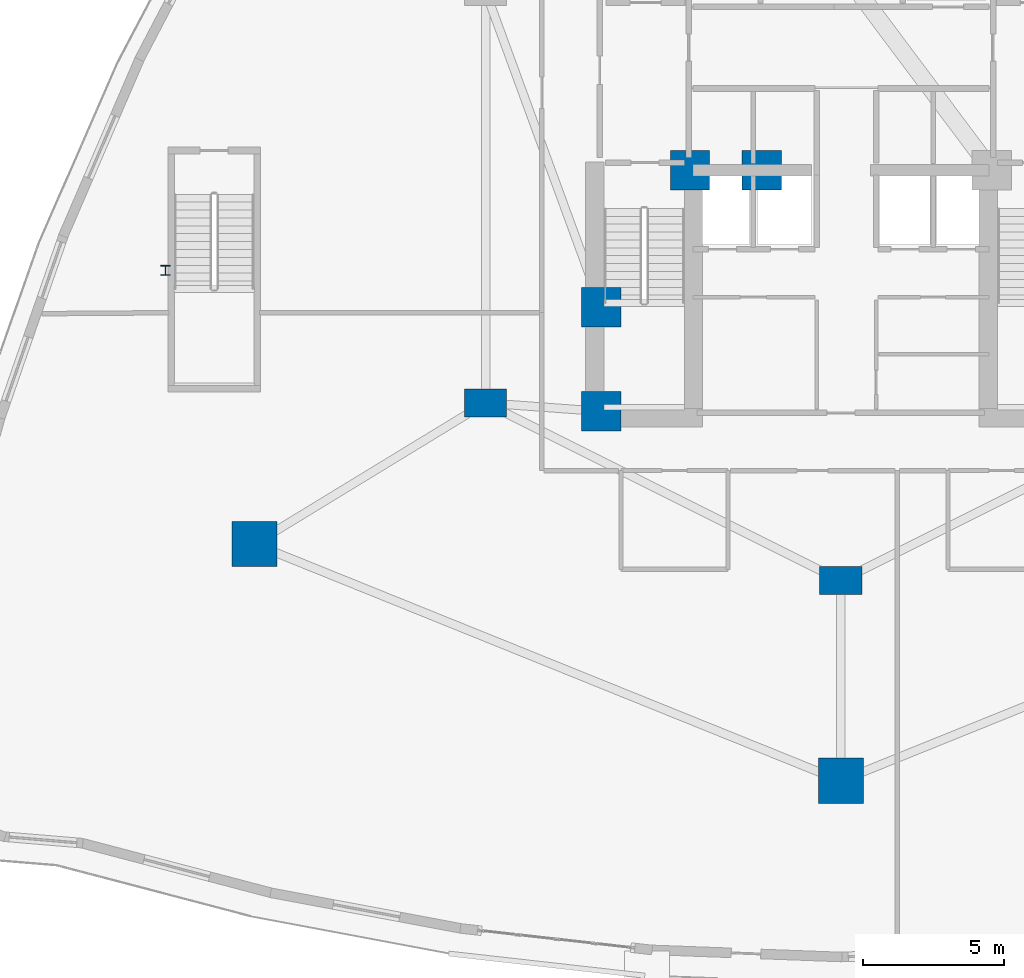
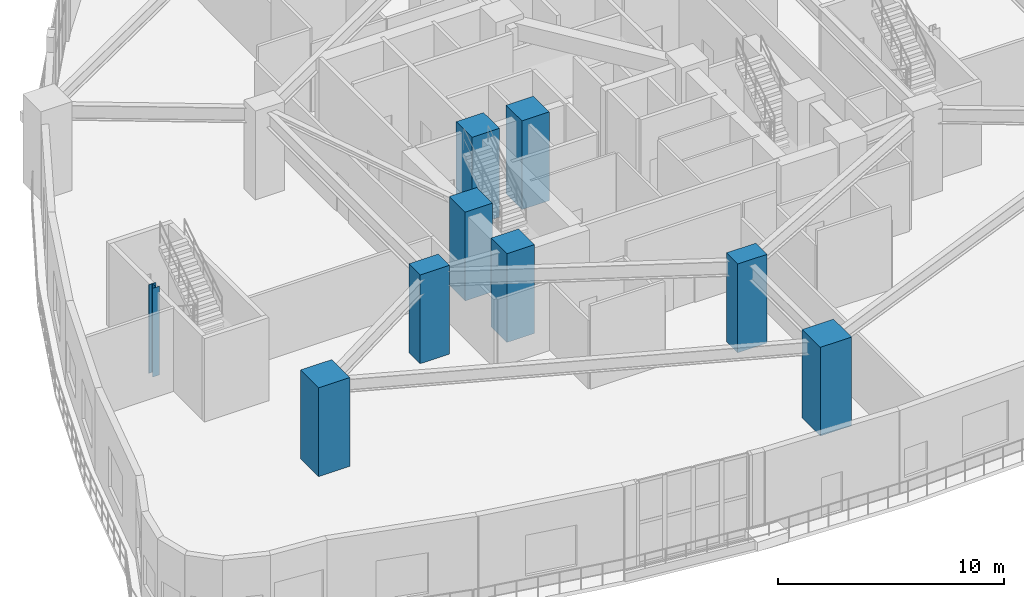
# One storey, part 1 of 23: 9 columns.
"""IFC4 building model written with IfcOpenShell, lengths in metres."""

from ifc_helpers import new_model, si_unit, direction, frame, origin, origin_2d, place, context, subcontext, project, spatial, rectangle, i_section, extrude, material, material_profile, profile_set, type_object, element, save


model = new_model("IFC4")

# Units and contexts
model_context = context("Model", 3, precision=1e-05, world=origin(), true_north=direction((0.0, 1.0)))
body_context = subcontext(model_context, "Body", "Model", "MODEL_VIEW")
ifc_project = project(units=[si_unit("LENGTHUNIT", "METRE"), si_unit("AREAUNIT", "SQUARE_METRE"), si_unit("VOLUMEUNIT", "CUBIC_METRE"), si_unit("PLANEANGLEUNIT", "RADIAN"), si_unit("MASSUNIT", "GRAM", prefix="KILO")], contexts=[model_context])

# Site, building, storey
site_placement = place(None, origin())
site = spatial("IfcSite", under=ifc_project, at=site_placement, CompositionType="ELEMENT")
building_placement = place(site_placement, origin())
building = spatial("IfcBuilding", under=site, at=building_placement, Name="Miruveldt Soraemaru", CompositionType="ELEMENT")
storey_placement = place(building_placement, frame((0.0, 0.0, 14.39990234375)))
storey = spatial("IfcBuildingStorey", under=building, at=storey_placement, Name="L04", CompositionType="ELEMENT", Elevation=14.39990234375)

# Columns
ifc_material_1 = material(Name="Concrete C80/95 (80 MPa)", Category="concrete")
ifc_material_profile_1 = material_profile(ifc_material_1, rectangle(XDim=1.39990234375, YDim=1.39990234375, at=origin_2d()), Name="Concrete C80/95 (80 MPa)", Category="concrete")
ifc_profile_set_1 = profile_set([ifc_material_profile_1], Name="Concrete C80/95 (80 MPa)")
column_type_1 = type_object("IfcColumnType", Name="COL-MEGA-1400", PredefinedType="COLUMN", material=ifc_profile_set_1)
for number, where, z_axis, x_axis, name in (
    (1, (35.5, 35.5, 0.0), (0.0, 0.0, 1.0), (1.0, 0.0, 0.0), "L04 Structural Column CC1"),
    (2, (38.64990234375, 44.050048828125, 0.0), (0.0, 0.0, 1.0), (1.0, 0.0, 0.0), "L04 Structural Column CC2"),
    (3, (35.5, 39.199951171875, 0.0), (0.0, 0.0, 1.0), (1.0, 0.0, 0.0), "L04 Structural Column CC7"),
    (4, (41.199951171875, 44.050048828125, 0.0), (0.0, 0.0, 1.0), (1.0, 0.0, 0.0), "L04 Structural Column CC8"),
):
    element("IfcColumn", number, at=place(storey_placement, frame(where, z_axis=z_axis, x_axis=x_axis)), inside=storey, type_object=column_type_1, Name=name, PredefinedType="COLUMN", context=body_context, shape_type="SweptSolid", body=[
        extrude(rectangle(XDim=1.39990234375, YDim=1.39990234375, at=origin_2d()), origin(), (0.0, 0.0, 1.0), 4.800048828125),
    ])
ifc_material_profile_2 = material_profile(ifc_material_1, rectangle(XDim=1.60009765625, YDim=1.60009765625, at=origin_2d()), Name="Concrete C80/95 (80 MPa)", Category="concrete")
ifc_profile_set_2 = profile_set([ifc_material_profile_2], Name="Concrete C80/95 (80 MPa)")
column_type_2 = type_object("IfcColumnType", Name="COL-MEGA-1600", PredefinedType="COLUMN", material=ifc_profile_set_2)
for number, where, z_axis, x_axis, name in (
    (5, (44.0, 22.39990234375, 0.0), (0.0, 0.0, 1.0), (1.0, 0.0, 0.0), "L04 Structural Column PM04"),
    (6, (23.199951171875, 30.800048828125, 0.0), (0.0, 0.0, 1.0), (1.0, 0.0, 0.0), "L04 Structural Column PM05"),
):
    element("IfcColumn", number, at=place(storey_placement, frame(where, z_axis=z_axis, x_axis=x_axis)), inside=storey, type_object=column_type_2, Name=name, PredefinedType="COLUMN", context=body_context, shape_type="SweptSolid", body=[
        extrude(rectangle(XDim=1.60009765625, YDim=1.60009765625, at=origin_2d()), origin(), (0.0, 0.0, 1.0), 4.800048828125),
    ])
ifc_material_2 = material(Name="Steel SM355 (355 MPa)", Category="steel")
ifc_material_profile_3 = material_profile(ifc_material_2, i_section(OverallWidth=0.35009765625, OverallDepth=0.35009765625, WebThickness=0.011962890625, FlangeThickness=0.01904296875, FilletRadius=0.02001953125, at=origin_2d()), Name="Steel SM355 (355 MPa)", Category="steel")
ifc_profile_set_3 = profile_set([ifc_material_profile_3], Name="Steel SM355 (355 MPa)")
column_type_3 = type_object("IfcColumnType", Name="COL-PIL-350", PredefinedType="PILASTER", material=ifc_profile_set_3)
column_placement = place(storey_placement, frame((20.050048828125, 40.5, 0.0), z_axis=(0.0, 0.0, 1.0), x_axis=(1.0, 0.0, 0.0)))
element("IfcColumn", 7, at=column_placement, inside=storey, type_object=column_type_3, Name="L04 Structural Column PIL1", PredefinedType="PILASTER", context=body_context, shape_type="SweptSolid", body=[
    extrude(i_section(OverallWidth=0.35009765625, OverallDepth=0.35009765625, WebThickness=0.011962890625, FlangeThickness=0.01904296875, FilletRadius=0.02001953125, at=origin_2d()), origin(), (0.0, 0.0, 1.0), 4.800048828125),
])
ifc_material_profile_4 = material_profile(ifc_material_1, rectangle(XDim=1.5, YDim=1.0, at=origin_2d()), Name="Concrete C80/95 (80 MPa)", Category="concrete")
ifc_profile_set_4 = profile_set([ifc_material_profile_4], Name="Concrete C80/95 (80 MPa)")
column_type_4 = type_object("IfcColumnType", Name="COL-TW-Z1A", PredefinedType="COLUMN", material=ifc_profile_set_4)
for number, where, z_axis, x_axis, name in (
    (8, (44.0, 29.5, 0.0), (0.0, 0.0, 1.0), (1.0, 0.0, 0.0), "L04 Structural Column IR04"),
    (9, (31.39990234375, 35.800048828125, 0.0), (0.0, 0.0, 1.0), (1.0, 0.0, 0.0), "L04 Structural Column IR05"),
):
    element("IfcColumn", number, at=place(storey_placement, frame(where, z_axis=z_axis, x_axis=x_axis)), inside=storey, type_object=column_type_4, Name=name, PredefinedType="COLUMN", context=body_context, shape_type="SweptSolid", body=[
        extrude(rectangle(XDim=1.5, YDim=1.0, at=origin_2d()), origin(), (0.0, 0.0, 1.0), 4.800048828125),
    ])

save(model, "model.ifc")
